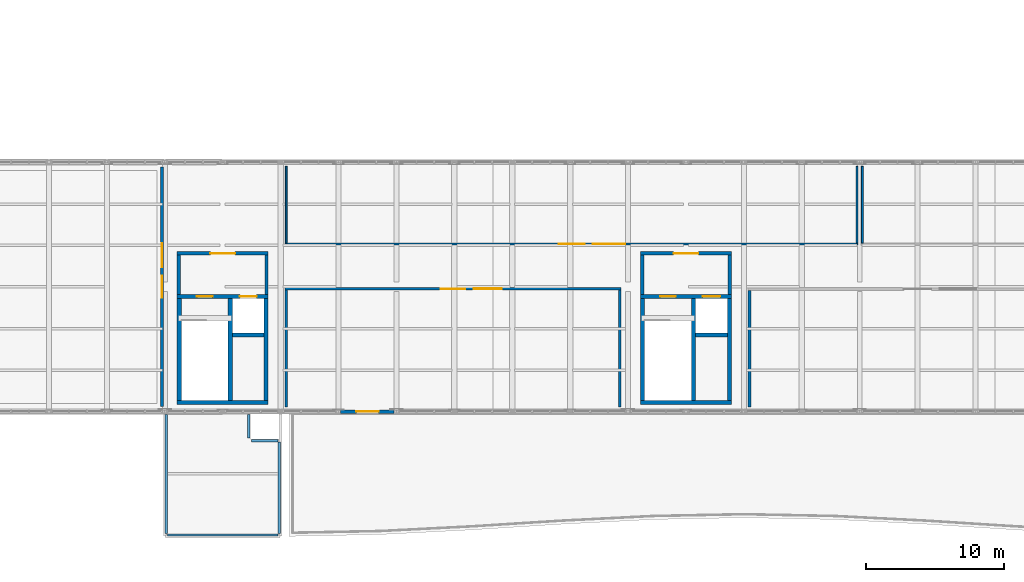
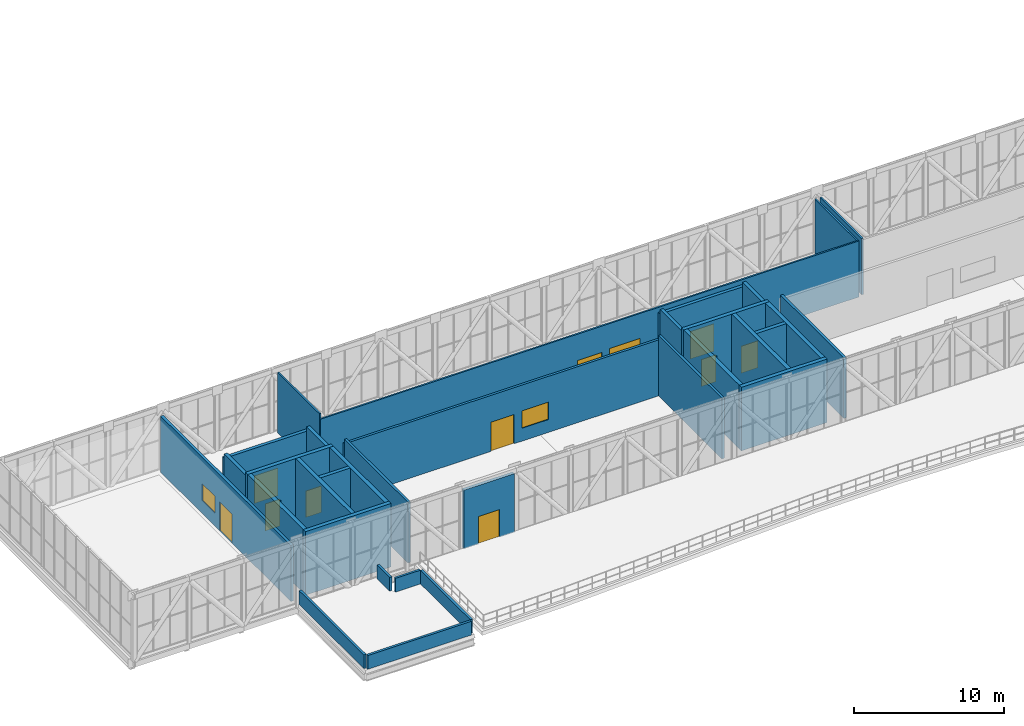
# One storey, part 55 of 58: 33 walls, 10 doors, 3 windows, 13 openings.
"""IFC4 building model written with IfcOpenShell, lengths in metres."""

from ifc_helpers import new_model, si_unit, direction, frame, frame_2d, origin, place, context, subcontext, project, spatial, rectangle, extrude, material, layer, layer_set, type_object, element, fill, save


model = new_model("IFC4")

# Units and contexts
model_context = context("Model", 3, precision=1e-05, world=origin(), true_north=direction((0.0, 1.0)))
body_context = subcontext(model_context, "Body", "Model", "MODEL_VIEW")
ifc_project = project(units=[si_unit("LENGTHUNIT", "METRE"), si_unit("AREAUNIT", "SQUARE_METRE"), si_unit("VOLUMEUNIT", "CUBIC_METRE"), si_unit("PLANEANGLEUNIT", "RADIAN"), si_unit("MASSUNIT", "GRAM", prefix="KILO")], contexts=[model_context])

# Site, building, storey
site_placement = place(None, origin())
site = spatial("IfcSite", under=ifc_project, at=site_placement, CompositionType="ELEMENT")
building_placement = place(site_placement, origin())
building = spatial("IfcBuilding", under=site, at=building_placement, Name="Khurvash Pelagic Aquarium", CompositionType="ELEMENT")
storey_placement = place(building_placement, frame((0.0, 0.0, 24.60009765625)))
storey = spatial("IfcBuildingStorey", under=building, at=storey_placement, Name="L05", CompositionType="ELEMENT", Elevation=24.60009765625)

# Wall, opening, door
ifc_material_1 = material(Name="Glass-fibre reinforced concrete C40/50", Category="concrete")
ifc_layer_1 = layer(ifc_material_1, 0.239990234375)
ifc_layer_set_1 = layer_set([ifc_layer_1], Name="Glass-fibre reinforced concrete C40/50")
wall_type_1 = type_object("IfcWallType", Name="EW-240", PredefinedType="STANDARD", material=ifc_layer_set_1)
wall_1_placement = place(storey_placement, frame((37.9599609375, 11.64990234375, 0.0), z_axis=(0.0, 0.0, 1.0), x_axis=(1.0, 0.0, 0.0)))
wall_1 = element("IfcWall", 1, at=wall_1_placement, inside=storey, type_object=wall_type_1, Name="L05 Sky-Bar South Terrace Portal Wall EW-240 6", PredefinedType="STANDARD", context=body_context, shape_type="SweptSolid", body=[
    extrude(rectangle(XDim=3.880126953125, YDim=0.239990234375, at=frame_2d((1.93994140625, 0.0))), origin(), (0.0, 0.0, 1.0), 4.77978515625),
])
opening_1_placement = place(wall_1_placement, frame((1.139892578125, 0.0, 0.0)))
opening_1 = element("IfcOpeningElement", 2, at=opening_1_placement, cuts=wall_1, Name="Opening ED-03", PredefinedType="OPENING", context=body_context, shape_type="SweptSolid", body=[
    extrude(rectangle(XDim=1.60009765625, YDim=2.25, at=frame_2d((0.800048828125, 1.125))), frame((0.0, 0.1298828125, 0.0), z_axis=(0.0, -1.0, 0.0), x_axis=(1.0, 0.0, 0.0)), (0.0, 0.0, 1.0), 0.260009765625),
])
ifc_material_2 = material(Name="Thermally broken glazed aluminium", Category="aluminium")
door_type_1 = type_object("IfcDoorType", Name="ED-03", OperationType="DOUBLE_DOOR_SINGLE_SWING", PredefinedType="DOOR", material=ifc_material_2)
door_1_placement = place(opening_1_placement, frame((1.60009765625, 0.0, 0.0), z_axis=(0.0, 0.0, 1.0), x_axis=(-1.0, 0.0, 0.0)))
door_1 = element("IfcDoor", 3, at=door_1_placement, inside=storey, type_object=door_type_1, Name="DR-0250", OperationType="DOUBLE_DOOR_SINGLE_SWING", OverallHeight=2.25, OverallWidth=1.60009765625, PredefinedType="DOOR", context=body_context, shape_type="SweptSolid", body=[
    extrude(rectangle(XDim=1.60009765625, YDim=2.25, at=frame_2d((0.800048828125, 1.125))), frame((0.0, 0.02490234375, 0.0), z_axis=(0.0, -1.0, 0.0), x_axis=(1.0, 0.0, 0.0)), (0.0, 0.0, 1.0), 0.050048828125),
])
fill(opening_1, door_1)

# Walls
ifc_material_3 = material(Name="Precast concrete C40/50", Category="concrete")
ifc_layer_2 = layer(ifc_material_3, 0.179931640625)
ifc_layer_set_2 = layer_set([ifc_layer_2], Name="Precast concrete C40/50")
wall_type_2 = type_object("IfcWallType", Name="PP-180", PredefinedType="PARAPET", material=ifc_layer_set_2)
wall_2_placement = place(storey_placement, frame((33.39990234375, 2.699951171875, 0.0), z_axis=(0.0, 0.0, 1.0), x_axis=(-1.0, 0.0, 0.0)))
element("IfcWall", 4, at=wall_2_placement, inside=storey, type_object=wall_type_2, Name="L05 Roof Perimeter Parapet Wall PP-180", PredefinedType="PARAPET", context=body_context, shape_type="SweptSolid", body=[
    extrude(rectangle(XDim=8.0, YDim=0.179931640625, at=frame_2d((4.0, 0.0))), origin(), (0.0, 0.0, 1.0), 1.119873046875),
])
wall_3_placement = place(storey_placement, frame((25.300048828125, 2.800048828125, 0.0), z_axis=(0.0, 0.0, 1.0), x_axis=(0.0, 1.0, 0.0)))
element("IfcWall", 5, at=wall_3_placement, inside=storey, type_object=wall_type_2, Name="L05 Roof Perimeter Parapet Wall PP-180", PredefinedType="PARAPET", context=body_context, shape_type="SweptSolid", body=[
    extrude(rectangle(XDim=8.64990234375, YDim=0.179931640625, at=frame_2d((4.324951171875, 0.0))), origin(), (0.0, 0.0, 1.0), 1.119873046875),
])
wall_4_placement = place(storey_placement, frame((31.300048828125, 11.449951171875, 0.0), z_axis=(0.0, 0.0, 1.0), x_axis=(0.0, -1.0, 0.0)))
element("IfcWall", 6, at=wall_4_placement, inside=storey, type_object=wall_type_2, Name="L05 Roof Perimeter Parapet Wall PP-180", PredefinedType="PARAPET", context=body_context, shape_type="SweptSolid", body=[
    extrude(rectangle(XDim=1.699951171875, YDim=0.179931640625, at=frame_2d((0.85009765625, 0.0))), origin(), (0.0, 0.0, 1.0), 1.119873046875),
])
wall_5_placement = place(storey_placement, frame((31.5, 9.550048828125, 0.0), z_axis=(0.0, 0.0, 1.0), x_axis=(1.0, 0.0, 0.0)))
element("IfcWall", 7, at=wall_5_placement, inside=storey, type_object=wall_type_2, Name="L05 Roof Perimeter Parapet Wall PP-180", PredefinedType="PARAPET", context=body_context, shape_type="SweptSolid", body=[
    extrude(rectangle(XDim=1.89990234375, YDim=0.179931640625, at=frame_2d((0.949951171875, 0.0))), origin(), (0.0, 0.0, 1.0), 1.119873046875),
])
wall_6_placement = place(storey_placement, frame((33.5, 9.449951171875, 0.0), z_axis=(0.0, 0.0, 1.0), x_axis=(0.0, -1.0, 0.0)))
element("IfcWall", 8, at=wall_6_placement, inside=storey, type_object=wall_type_2, Name="L05 Roof Perimeter Parapet Wall PP-180", PredefinedType="PARAPET", context=body_context, shape_type="SweptSolid", body=[
    extrude(rectangle(XDim=6.64990234375, YDim=0.179931640625, at=frame_2d((3.324951171875, 0.0))), origin(), (0.0, 0.0, 1.0), 1.119873046875),
])

# Wall, openings, door, window
ifc_material_4 = material(Name="Moisture-resistant gypsum and steel stud", Category="steel")
ifc_layer_3 = layer(ifc_material_4, 0.125)
ifc_layer_set_3 = layer_set([ifc_layer_3], Name="Moisture-resistant gypsum and steel stud")
wall_type_3 = type_object("IfcWallType", Name="PW-125", PredefinedType="PARTITIONING", material=ifc_layer_set_3)
wall_7_placement = place(storey_placement, frame((33.93798828125, 23.800048828125, 0.0), z_axis=(0.0, 0.0, 1.0), x_axis=(1.0, 0.0, 0.0)))
wall_7 = element("IfcWall", 9, at=wall_7_placement, inside=storey, type_object=wall_type_3, Name="L05 Daylit Mangrove Canopy Conservatory Partition Wall PW-125", PredefinedType="PARTITIONING", context=body_context, shape_type="SweptSolid", body=[
    extrude(rectangle(XDim=41.52490234375, YDim=0.125, at=frame_2d((20.762451171875, 0.0))), origin(), (0.0, 0.0, 1.0), 4.56787109375),
])
opening_2_placement = place(wall_7_placement, frame((19.822021484375, 0.0, 0.0)))
opening_2 = element("IfcOpeningElement", 10, at=opening_2_placement, cuts=wall_7, Name="Opening ID-35", PredefinedType="OPENING", context=body_context, shape_type="SweptSolid", body=[
    extrude(rectangle(XDim=1.8798828125, YDim=2.419921875, at=frame_2d((0.93994140625, 1.2099609375))), frame((0.0, 0.072509765625, 0.0), z_axis=(0.0, -1.0, 0.0), x_axis=(1.0, 0.0, 0.0)), (0.0, 0.0, 1.0), 0.14501953125),
])
opening_3_placement = place(wall_7_placement, frame((22.302001953125, 0.0, 1.0498046875)))
opening_3 = element("IfcOpeningElement", 11, at=opening_3_placement, cuts=wall_7, Name="Opening IW-16", PredefinedType="OPENING", context=body_context, shape_type="SweptSolid", body=[
    extrude(rectangle(XDim=2.35009765625, YDim=1.47998046875, at=frame_2d((1.175048828125, 0.739990234375))), frame((0.0, 0.072509765625, 0.0), z_axis=(0.0, -1.0, 0.0), x_axis=(1.0, 0.0, 0.0)), (0.0, 0.0, 1.0), 0.14501953125),
])
ifc_material_5 = material(Name="Abyssal hall double door", Category="wood")
door_type_2 = type_object("IfcDoorType", Name="ID-35", OperationType="DOUBLE_DOOR_SINGLE_SWING", PredefinedType="DOOR", material=ifc_material_5)
door_2_placement = place(opening_2_placement, origin())
door_2 = element("IfcDoor", 12, at=door_2_placement, inside=storey, type_object=door_type_2, Name="DR-0258", OperationType="DOUBLE_DOOR_SINGLE_SWING", OverallHeight=2.419921875, OverallWidth=1.8798828125, PredefinedType="DOOR", context=body_context, shape_type="SweptSolid", body=[
    extrude(rectangle(XDim=1.8798828125, YDim=2.419921875, at=frame_2d((0.93994140625, 1.2099609375))), frame((0.0, 0.02490234375, 0.0), z_axis=(0.0, -1.0, 0.0), x_axis=(1.0, 0.0, 0.0)), (0.0, 0.0, 1.0), 0.050048828125),
])
fill(opening_2, door_2)
ifc_material_6 = material(Name="Acoustic laminated interior observation glazing", Category="glass")
window_type_1 = type_object("IfcWindowType", Name="IW-16", PartitioningType="SINGLE_PANEL", PredefinedType="WINDOW", material=ifc_material_6)
window_1_placement = place(opening_3_placement, origin())
window_1 = element("IfcWindow", 13, at=window_1_placement, inside=storey, type_object=window_type_1, Name="L05 Daylit Mangrove Canopy Conservatory Observation Window IW-16", OverallHeight=1.47998046875, OverallWidth=2.35009765625, PartitioningType="SINGLE_PANEL", PredefinedType="WINDOW", context=body_context, shape_type="SweptSolid", body=[
    extrude(rectangle(XDim=2.35009765625, YDim=1.47998046875, at=frame_2d((1.175048828125, 0.739990234375))), frame((0.0, 0.030029296875, 0.0), z_axis=(0.0, -1.0, 0.0), x_axis=(1.0, 0.0, 0.0)), (0.0, 0.0, 1.0), 0.06005859375),
])
fill(opening_3, window_1)

# Walls
wall_8_placement = place(storey_placement, frame((75.39990234375, 23.863037109375, 0.0), z_axis=(0.0, 0.0, 1.0), x_axis=(0.0, 1.0, 0.0)))
element("IfcWall", 14, at=wall_8_placement, inside=storey, type_object=wall_type_3, Name="L05 Daylit Mangrove Canopy Conservatory Partition Wall PW-125", PredefinedType="PARTITIONING", context=body_context, shape_type="SweptSolid", body=[
    extrude(rectangle(XDim=5.574951171875, YDim=0.125, at=frame_2d((2.78759765625, 0.0))), origin(), (0.0, 0.0, 1.0), 4.56787109375),
])
wall_9_placement = place(storey_placement, frame((34.0, 23.863037109375, 0.0), z_axis=(0.0, 0.0, 1.0), x_axis=(0.0, 1.0, 0.0)))
element("IfcWall", 15, at=wall_9_placement, inside=storey, type_object=wall_type_3, Name="L05 Daylit Mangrove Canopy Conservatory Partition Wall PW-125", PredefinedType="PARTITIONING", context=body_context, shape_type="SweptSolid", body=[
    extrude(rectangle(XDim=5.574951171875, YDim=0.125, at=frame_2d((2.78759765625, 0.0))), origin(), (0.0, 0.0, 1.0), 4.93994140625),
])
ifc_layer_4 = layer(ifc_material_4, 0.139892578125)
ifc_layer_set_4 = layer_set([ifc_layer_4], Name="Moisture-resistant gypsum and steel stud")
wall_type_4 = type_object("IfcWallType", Name="PW-140", PredefinedType="PARTITIONING", material=ifc_layer_set_4)
wall_10_placement = place(storey_placement, frame((75.800048828125, 23.8701171875, 0.0), z_axis=(0.0, 0.0, 1.0), x_axis=(0.0, 1.0, 0.0)))
element("IfcWall", 16, at=wall_10_placement, inside=storey, type_object=wall_type_4, Name="L05 Sky-Bar Marine Conservation Briefing Room Partition Wall PW-140", PredefinedType="PARTITIONING", context=body_context, shape_type="SweptSolid", body=[
    extrude(rectangle(XDim=5.559814453125, YDim=0.139892578125, at=frame_2d((2.77978515625, 0.0))), origin(), (0.0, 0.0, 1.0), 4.56787109375),
])

# Wall, openings, door, window
ifc_material_7 = material(Name="AAC blockwork", Category="masonry")
ifc_layer_5 = layer(ifc_material_7, 0.18505859375)
ifc_layer_set_5 = layer_set([ifc_layer_5], Name="AAC blockwork")
wall_type_5 = type_object("IfcWallType", Name="PW-185", PredefinedType="PARTITIONING", material=ifc_layer_set_5)
wall_11_placement = place(storey_placement, frame((33.906982421875, 20.550048828125, 0.0), z_axis=(0.0, 0.0, 1.0), x_axis=(1.0, 0.0, 0.0)))
wall_11 = element("IfcWall", 17, at=wall_11_placement, inside=storey, type_object=wall_type_5, Name="L05 Indus Delta Estuarine Sky Gallery Partition Wall PW-185", PredefinedType="PARTITIONING", context=body_context, shape_type="SweptSolid", body=[
    extrude(rectangle(XDim=24.385986328125, YDim=0.18505859375, at=frame_2d((12.19287109375, 0.0))), origin(), (0.0, 0.0, 1.0), 4.56787109375),
])
opening_4_placement = place(wall_11_placement, frame((11.302978515625, 0.0, 0.0)))
opening_4 = element("IfcOpeningElement", 18, at=opening_4_placement, cuts=wall_11, Name="Opening ID-34", PredefinedType="OPENING", context=body_context, shape_type="SweptSolid", body=[
    extrude(rectangle(XDim=1.780029296875, YDim=2.3798828125, at=frame_2d((0.89013671875, 1.18994140625))), frame((0.0, 0.1025390625, 0.0), z_axis=(0.0, -1.0, 0.0), x_axis=(1.0, 0.0, 0.0)), (0.0, 0.0, 1.0), 0.205078125),
])
opening_5_placement = place(wall_11_placement, frame((13.68310546875, 0.0, 1.0498046875)))
opening_5 = element("IfcOpeningElement", 19, at=opening_5_placement, cuts=wall_11, Name="Opening IW-15", PredefinedType="OPENING", context=body_context, shape_type="SweptSolid", body=[
    extrude(rectangle(XDim=2.050048828125, YDim=1.419921875, at=frame_2d((1.02490234375, 0.7099609375))), frame((0.0, 0.1025390625, 0.0), z_axis=(0.0, -1.0, 0.0), x_axis=(1.0, 0.0, 0.0)), (0.0, 0.0, 1.0), 0.205078125),
])
ifc_material_8 = material(Name="Freshwater hall double door", Category="wood")
door_type_3 = type_object("IfcDoorType", Name="ID-34", OperationType="DOUBLE_DOOR_SINGLE_SWING", PredefinedType="DOOR", material=ifc_material_8)
door_3_placement = place(opening_4_placement, frame((1.780029296875, 0.0, 0.0), z_axis=(0.0, 0.0, 1.0), x_axis=(-1.0, 0.0, 0.0)))
door_3 = element("IfcDoor", 20, at=door_3_placement, inside=storey, type_object=door_type_3, Name="DR-0257", OperationType="DOUBLE_DOOR_SINGLE_SWING", OverallHeight=2.3798828125, OverallWidth=1.780029296875, PredefinedType="DOOR", context=body_context, shape_type="SweptSolid", body=[
    extrude(rectangle(XDim=1.780029296875, YDim=2.3798828125, at=frame_2d((0.89013671875, 1.18994140625))), frame((0.0, 0.02490234375, 0.0), z_axis=(0.0, -1.0, 0.0), x_axis=(1.0, 0.0, 0.0)), (0.0, 0.0, 1.0), 0.050048828125),
])
fill(opening_4, door_3)
window_type_2 = type_object("IfcWindowType", Name="IW-15", PartitioningType="SINGLE_PANEL", PredefinedType="WINDOW", material=ifc_material_6)
window_2_placement = place(opening_5_placement, origin())
window_2 = element("IfcWindow", 21, at=window_2_placement, inside=storey, type_object=window_type_2, Name="L05 Indus Delta Estuarine Sky Gallery Observation Window IW-15", OverallHeight=1.419921875, OverallWidth=2.050048828125, PartitioningType="SINGLE_PANEL", PredefinedType="WINDOW", context=body_context, shape_type="SweptSolid", body=[
    extrude(rectangle(XDim=2.050048828125, YDim=1.419921875, at=frame_2d((1.02490234375, 0.7099609375))), frame((0.0, 0.030029296875, 0.0), z_axis=(0.0, -1.0, 0.0), x_axis=(1.0, 0.0, 0.0)), (0.0, 0.0, 1.0), 0.06005859375),
])
fill(opening_5, window_2)

# Walls
for number, where, z_axis, x_axis, name in (
    (22, (58.199951171875, 11.991943359375, 0.0), (0.0, 0.0, 1.0), (0.0, 1.0, 0.0), "L05 Indus Delta Estuarine Sky Gallery Partition Wall PW-185"),
    (23, (34.0, 11.991943359375, 0.0), (0.0, 0.0, 1.0), (0.0, 1.0, 0.0), "L05 Indus Delta Estuarine Sky Gallery Partition Wall PW-185"),
):
    element("IfcWall", number, at=place(storey_placement, frame(where, z_axis=z_axis, x_axis=x_axis)), inside=storey, type_object=wall_type_5, Name=name, PredefinedType="PARTITIONING", context=body_context, shape_type="SweptSolid", body=[
        extrude(rectangle(XDim=8.465087890625, YDim=0.18505859375, at=frame_2d((4.232421875, 0.0))), origin(), (0.0, 0.0, 1.0), 4.93994140625),
    ])
ifc_layer_6 = layer(ifc_material_7, 0.199951171875)
ifc_layer_set_6 = layer_set([ifc_layer_6], Name="AAC blockwork")
wall_type_6 = type_object("IfcWallType", Name="PW-200", PredefinedType="PARTITIONING", material=ifc_layer_set_6)
wall_12_placement = place(storey_placement, frame((67.60009765625, 12.0, 0.0), z_axis=(0.0, 0.0, 1.0), x_axis=(0.0, 1.0, 0.0)))
element("IfcWall", 24, at=wall_12_placement, inside=storey, type_object=wall_type_6, Name="L05 Monsoon Coastal Bird and Crab Gallery Partition Wall PW-200", PredefinedType="PARTITIONING", context=body_context, shape_type="SweptSolid", body=[
    extrude(rectangle(XDim=8.449951171875, YDim=0.199951171875, at=frame_2d((4.22509765625, 0.0))), origin(), (0.0, 0.0, 1.0), 4.93994140625),
])

# Wall, openings, door, window
ifc_layer_7 = layer(ifc_material_7, 0.215087890625)
ifc_layer_set_7 = layer_set([ifc_layer_7], Name="AAC blockwork")
wall_type_7 = type_object("IfcWallType", Name="PW-215", PredefinedType="PARTITIONING", material=ifc_layer_set_7)
wall_13_placement = place(storey_placement, frame((25.0, 12.008056640625, 0.0), z_axis=(0.0, 0.0, 1.0), x_axis=(0.0, 1.0, 0.0)))
wall_13 = element("IfcWall", 25, at=wall_13_placement, inside=storey, type_object=wall_type_7, Name="L05 West Cantilever Sky Viewing Lounge Partition Wall PW-215", PredefinedType="PARTITIONING", context=body_context, shape_type="SweptSolid", body=[
    extrude(rectangle(XDim=17.384033203125, YDim=0.215087890625, at=frame_2d((8.69189453125, 0.0))), origin(), (0.0, 0.0, 1.0), 4.56787109375),
])
opening_6_placement = place(wall_13_placement, frame((7.882080078125, 0.0, 0.0)))
opening_6 = element("IfcOpeningElement", 26, at=opening_6_placement, cuts=wall_13, Name="Opening ID-33", PredefinedType="OPENING", context=body_context, shape_type="SweptSolid", body=[
    extrude(rectangle(XDim=1.6201171875, YDim=2.360107421875, at=frame_2d((0.81005859375, 1.18017578125))), frame((0.0, 0.11767578125, 0.0), z_axis=(0.0, -1.0, 0.0), x_axis=(1.0, 0.0, 0.0)), (0.0, 0.0, 1.0), 0.235107421875),
])
opening_7_placement = place(wall_13_placement, frame((10.10205078125, 0.0, 1.0498046875)))
opening_7 = element("IfcOpeningElement", 27, at=opening_7_placement, cuts=wall_13, Name="Opening IW-14", PredefinedType="OPENING", context=body_context, shape_type="SweptSolid", body=[
    extrude(rectangle(XDim=1.75, YDim=1.3798828125, at=frame_2d((0.875, 0.68994140625))), frame((0.0, 0.11767578125, 0.0), z_axis=(0.0, -1.0, 0.0), x_axis=(1.0, 0.0, 0.0)), (0.0, 0.0, 1.0), 0.235107421875),
])
ifc_material_9 = material(Name="Gallery link double door", Category="wood")
door_type_4 = type_object("IfcDoorType", Name="ID-33", OperationType="DOUBLE_DOOR_SINGLE_SWING", PredefinedType="DOOR", material=ifc_material_9)
door_4_placement = place(opening_6_placement, origin())
door_4 = element("IfcDoor", 28, at=door_4_placement, inside=storey, type_object=door_type_4, Name="DR-0256", OperationType="DOUBLE_DOOR_SINGLE_SWING", OverallHeight=2.360107421875, OverallWidth=1.6201171875, PredefinedType="DOOR", context=body_context, shape_type="SweptSolid", body=[
    extrude(rectangle(XDim=1.6201171875, YDim=2.360107421875, at=frame_2d((0.81005859375, 1.18017578125))), frame((0.0, 0.02490234375, 0.0), z_axis=(0.0, -1.0, 0.0), x_axis=(1.0, 0.0, 0.0)), (0.0, 0.0, 1.0), 0.050048828125),
])
fill(opening_6, door_4)
window_type_3 = type_object("IfcWindowType", Name="IW-14", PartitioningType="SINGLE_PANEL", PredefinedType="WINDOW", material=ifc_material_6)
window_3_placement = place(opening_7_placement, origin())
window_3 = element("IfcWindow", 29, at=window_3_placement, inside=storey, type_object=window_type_3, Name="L05 West Cantilever Sky Viewing Lounge Observation Window IW-14", OverallHeight=1.3798828125, OverallWidth=1.75, PartitioningType="SINGLE_PANEL", PredefinedType="WINDOW", context=body_context, shape_type="SweptSolid", body=[
    extrude(rectangle(XDim=1.75, YDim=1.3798828125, at=frame_2d((0.875, 0.68994140625))), frame((0.0, 0.030029296875, 0.0), z_axis=(0.0, -1.0, 0.0), x_axis=(1.0, 0.0, 0.0)), (0.0, 0.0, 1.0), 0.06005859375),
])
fill(opening_7, window_3)

# Wall, opening, door
ifc_layer_8 = layer(ifc_material_7, 0.25)
ifc_layer_set_8 = layer_set([ifc_layer_8], Name="AAC blockwork")
wall_type_8 = type_object("IfcWallType", Name="PW-250", PredefinedType="PARTITIONING", material=ifc_layer_set_8)
wall_14_placement = place(storey_placement, frame((26.10009765625, 23.125, 0.0), z_axis=(0.0, 0.0, 1.0), x_axis=(1.0, 0.0, 0.0)))
wall_14 = element("IfcWall", 30, at=wall_14_placement, inside=storey, type_object=wall_type_8, Name="L05 Core C1 Lobby Front Fire Wall PW-250", PredefinedType="PARTITIONING", context=body_context, shape_type="SweptSolid", body=[
    extrude(rectangle(XDim=6.599853515625, YDim=0.25, at=frame_2d((3.2998046875, 0.0))), origin(), (0.0, 0.0, 1.0), 4.56787109375),
])
opening_8_placement = place(wall_14_placement, frame((2.39990234375, 0.0, 0.0)))
opening_8 = element("IfcOpeningElement", 31, at=opening_8_placement, cuts=wall_14, Name="Opening FD-02", PredefinedType="OPENING", context=body_context, shape_type="SweptSolid", body=[
    extrude(rectangle(XDim=1.800048828125, YDim=2.25, at=frame_2d((0.89990234375, 1.125))), frame((0.0, 0.135009765625, 0.0), z_axis=(0.0, -1.0, 0.0), x_axis=(1.0, 0.0, 0.0)), (0.0, 0.0, 1.0), 0.27001953125),
])
ifc_material_10 = material(Name="Galvanised steel double fire door", Category="steel")
door_type_5 = type_object("IfcDoorType", Name="FD-02", OperationType="DOUBLE_DOOR_SINGLE_SWING", PredefinedType="DOOR", material=ifc_material_10)
door_5_placement = place(opening_8_placement, origin())
door_5 = element("IfcDoor", 32, at=door_5_placement, inside=storey, type_object=door_type_5, Name="DR-0262", OperationType="DOUBLE_DOOR_SINGLE_SWING", OverallHeight=2.25, OverallWidth=1.800048828125, PredefinedType="DOOR", context=body_context, shape_type="SweptSolid", body=[
    extrude(rectangle(XDim=1.800048828125, YDim=2.25, at=frame_2d((0.89990234375, 1.125))), frame((0.0, 0.02490234375, 0.0), z_axis=(0.0, -1.0, 0.0), x_axis=(1.0, 0.0, 0.0)), (0.0, 0.0, 1.0), 0.050048828125),
])
fill(opening_8, door_5)

# Walls
for number, where, z_axis, x_axis, name in (
    (33, (26.22509765625, 20.14990234375, 0.0), (0.0, 0.0, 1.0), (0.0, 1.0, 0.0), "L05 Core C1 Lobby West Fire Wall PW-250"),
    (34, (32.574951171875, 20.14990234375, 0.0), (0.0, 0.0, 1.0), (0.0, 1.0, 0.0), "L05 Core C1 Lobby East Fire Wall PW-250"),
):
    element("IfcWall", number, at=place(storey_placement, frame(where, z_axis=z_axis, x_axis=x_axis)), inside=storey, type_object=wall_type_8, Name=name, PredefinedType="PARTITIONING", context=body_context, shape_type="SweptSolid", body=[
        extrude(rectangle(XDim=2.85009765625, YDim=0.25, at=frame_2d((1.425048828125, 0.0))), origin(), (0.0, 0.0, 1.0), 4.93994140625),
    ])

# Wall, opening, door
wall_15_placement = place(storey_placement, frame((59.699951171875, 23.125, 0.0), z_axis=(0.0, 0.0, 1.0), x_axis=(1.0, 0.0, 0.0)))
wall_15 = element("IfcWall", 35, at=wall_15_placement, inside=storey, type_object=wall_type_8, Name="L05 Core C2 Lobby Front Fire Wall PW-250", PredefinedType="PARTITIONING", context=body_context, shape_type="SweptSolid", body=[
    extrude(rectangle(XDim=6.60009765625, YDim=0.25, at=frame_2d((3.300048828125, 0.0))), origin(), (0.0, 0.0, 1.0), 4.56787109375),
])
opening_9_placement = place(wall_15_placement, frame((2.39990234375, 0.0, 0.0)))
opening_9 = element("IfcOpeningElement", 36, at=opening_9_placement, cuts=wall_15, Name="Opening FD-02", PredefinedType="OPENING", context=body_context, shape_type="SweptSolid", body=[
    extrude(rectangle(XDim=1.800048828125, YDim=2.25, at=frame_2d((0.89990234375, 1.125))), frame((0.0, 0.135009765625, 0.0), z_axis=(0.0, -1.0, 0.0), x_axis=(1.0, 0.0, 0.0)), (0.0, 0.0, 1.0), 0.27001953125),
])
door_6_placement = place(opening_9_placement, origin())
door_6 = element("IfcDoor", 37, at=door_6_placement, inside=storey, type_object=door_type_5, Name="DR-0263", OperationType="DOUBLE_DOOR_SINGLE_SWING", OverallHeight=2.25, OverallWidth=1.800048828125, PredefinedType="DOOR", context=body_context, shape_type="SweptSolid", body=[
    extrude(rectangle(XDim=1.800048828125, YDim=2.25, at=frame_2d((0.89990234375, 1.125))), frame((0.0, 0.02490234375, 0.0), z_axis=(0.0, -1.0, 0.0), x_axis=(1.0, 0.0, 0.0)), (0.0, 0.0, 1.0), 0.050048828125),
])
fill(opening_9, door_6)

# Walls
for number, where, z_axis, x_axis, name in (
    (38, (59.824951171875, 20.14990234375, 0.0), (0.0, 0.0, 1.0), (0.0, 1.0, 0.0), "L05 Core C2 Lobby West Fire Wall PW-250"),
    (39, (66.175048828125, 20.14990234375, 0.0), (0.0, 0.0, 1.0), (0.0, 1.0, 0.0), "L05 Core C2 Lobby East Fire Wall PW-250"),
):
    element("IfcWall", number, at=place(storey_placement, frame(where, z_axis=z_axis, x_axis=x_axis)), inside=storey, type_object=wall_type_8, Name=name, PredefinedType="PARTITIONING", context=body_context, shape_type="SweptSolid", body=[
        extrude(rectangle(XDim=2.85009765625, YDim=0.25, at=frame_2d((1.425048828125, 0.0))), origin(), (0.0, 0.0, 1.0), 4.93994140625),
    ])
ifc_material_11 = material(Name="Concrete C40/50", Category="concrete")
ifc_layer_9 = layer(ifc_material_11, 0.27490234375)
ifc_layer_set_9 = layer_set([ifc_layer_9], Name="Concrete C40/50")
wall_type_9 = type_object("IfcWallType", Name="SW-275", PredefinedType="SHEAR", material=ifc_layer_set_9)
wall_16_placement = place(storey_placement, frame((30.10009765625, 17.212890625, 0.0), z_axis=(0.0, 0.0, 1.0), x_axis=(1.0, 0.0, 0.0)))
element("IfcWall", 40, at=wall_16_placement, inside=storey, type_object=wall_type_9, Name="L05 Lift FL-01 Shaft Rear Shear Wall SW-275", PredefinedType="SHEAR", context=body_context, shape_type="SweptSolid", body=[
    extrude(rectangle(XDim=2.2998046875, YDim=0.27490234375, at=frame_2d((1.14990234375, 0.0))), origin(), (0.0, 0.0, 1.0), 5.179931640625),
])
wall_17_placement = place(storey_placement, frame((63.699951171875, 17.212890625, 0.0), z_axis=(0.0, 0.0, 1.0), x_axis=(1.0, 0.0, 0.0)))
element("IfcWall", 41, at=wall_17_placement, inside=storey, type_object=wall_type_9, Name="L05 Lift PL-01 Shaft Rear Shear Wall SW-275", PredefinedType="SHEAR", context=body_context, shape_type="SweptSolid", body=[
    extrude(rectangle(XDim=2.300048828125, YDim=0.27490234375, at=frame_2d((1.14990234375, 0.0))), origin(), (0.0, 0.0, 1.0), 5.179931640625),
])
ifc_layer_10 = layer(ifc_material_11, 0.300048828125)
ifc_layer_set_10 = layer_set([ifc_layer_10], Name="Concrete C40/50")
wall_type_10 = type_object("IfcWallType", Name="SW-300", PredefinedType="SHEAR", material=ifc_layer_set_10)
wall_18_placement = place(storey_placement, frame((26.10009765625, 12.300048828125, 0.0), z_axis=(0.0, 0.0, 1.0), x_axis=(1.0, 0.0, 0.0)))
element("IfcWall", 42, at=wall_18_placement, inside=storey, type_object=wall_type_10, Name="L05 Core C1 South Shear Wall SW-300", PredefinedType="SHEAR", context=body_context, shape_type="SweptSolid", body=[
    extrude(rectangle(XDim=6.599853515625, YDim=0.300048828125, at=frame_2d((3.2998046875, 0.0))), origin(), (0.0, 0.0, 1.0), 5.179931640625),
])

# Wall, openings, doors
wall_19_placement = place(storey_placement, frame((26.10009765625, 20.0, 0.0), z_axis=(0.0, 0.0, 1.0), x_axis=(1.0, 0.0, 0.0)))
wall_19 = element("IfcWall", 43, at=wall_19_placement, inside=storey, type_object=wall_type_10, Name="L05 Core C1 North Shear Wall SW-300", PredefinedType="SHEAR", context=body_context, shape_type="SweptSolid", body=[
    extrude(rectangle(XDim=6.599853515625, YDim=0.300048828125, at=frame_2d((3.2998046875, 0.0))), origin(), (0.0, 0.0, 1.0), 5.179931640625),
])
opening_10_placement = place(wall_19_placement, frame((1.425048828125, 0.0, 0.0)))
opening_10 = element("IfcOpeningElement", 44, at=opening_10_placement, cuts=wall_19, Name="Opening FD-01", PredefinedType="OPENING", context=body_context, shape_type="SweptSolid", body=[
    extrude(rectangle(XDim=1.14990234375, YDim=2.199951171875, at=frame_2d((0.574951171875, 1.10009765625))), frame((0.0, 0.16015625, 0.0), z_axis=(0.0, -1.0, 0.0), x_axis=(1.0, 0.0, 0.0)), (0.0, 0.0, 1.0), 0.320068359375),
])
opening_11_placement = place(wall_19_placement, frame((4.550048828125, 0.0, 0.0)))
opening_11 = element("IfcOpeningElement", 45, at=opening_11_placement, cuts=wall_19, Name="Opening LD-01", PredefinedType="OPENING", context=body_context, shape_type="SweptSolid", body=[
    extrude(rectangle(XDim=1.199951171875, YDim=2.14990234375, at=frame_2d((0.60009765625, 1.074951171875))), frame((0.0, 0.16015625, 0.0), z_axis=(0.0, -1.0, 0.0), x_axis=(1.0, 0.0, 0.0)), (0.0, 0.0, 1.0), 0.320068359375),
])
ifc_material_12 = material(Name="Galvanised steel fire door", Category="steel")
door_type_6 = type_object("IfcDoorType", Name="FD-01", OperationType="NOTDEFINED", PredefinedType="DOOR", material=ifc_material_12)
door_7_placement = place(opening_10_placement, frame((1.14990234375, 0.0, 0.0), z_axis=(0.0, 0.0, 1.0), x_axis=(-1.0, 0.0, 0.0)))
door_7 = element("IfcDoor", 46, at=door_7_placement, inside=storey, type_object=door_type_6, Name="DR-0244", OperationType="SINGLE_SWING_RIGHT", OverallHeight=2.199951171875, OverallWidth=1.14990234375, PredefinedType="DOOR", context=body_context, shape_type="SweptSolid", body=[
    extrude(rectangle(XDim=1.14990234375, YDim=2.199951171875, at=frame_2d((0.574951171875, 1.10009765625))), frame((0.0, 0.02490234375, 0.0), z_axis=(0.0, -1.0, 0.0), x_axis=(1.0, 0.0, 0.0)), (0.0, 0.0, 1.0), 0.050048828125),
])
fill(opening_10, door_7)
ifc_material_13 = material(Name="Brushed stainless steel 316 lift landing door", Category="steel")
door_type_7 = type_object("IfcDoorType", Name="LD-01", OperationType="DOUBLE_DOOR_SLIDING", PredefinedType="DOOR", material=ifc_material_13)
door_8_placement = place(opening_11_placement, origin())
door_8 = element("IfcDoor", 47, at=door_8_placement, inside=storey, type_object=door_type_7, Name="DR-0247", OperationType="DOUBLE_DOOR_SLIDING", OverallHeight=2.14990234375, OverallWidth=1.199951171875, PredefinedType="DOOR", context=body_context, shape_type="SweptSolid", body=[
    extrude(rectangle(XDim=1.199951171875, YDim=2.14990234375, at=frame_2d((0.60009765625, 1.074951171875))), frame((0.0, 0.02490234375, 0.0), z_axis=(0.0, -1.0, 0.0), x_axis=(1.0, 0.0, 0.0)), (0.0, 0.0, 1.0), 0.050048828125),
])
fill(opening_11, door_8)

# Walls
for number, where, z_axis, x_axis, name in (
    (48, (26.25, 12.449951171875, 0.0), (0.0, 0.0, 1.0), (0.0, 1.0, 0.0), "L05 Core C1 West Shear Wall SW-300"),
    (49, (32.550048828125, 12.449951171875, 0.0), (0.0, 0.0, 1.0), (0.0, 1.0, 0.0), "L05 Core C1 East Shear Wall SW-300"),
    (50, (29.949951171875, 12.449951171875, 0.0), (0.0, 0.0, 1.0), (0.0, 1.0, 0.0), "L05 Core C1 Divider Shear Wall SW-300"),
):
    element("IfcWall", number, at=place(storey_placement, frame(where, z_axis=z_axis, x_axis=x_axis)), inside=storey, type_object=wall_type_10, Name=name, PredefinedType="SHEAR", context=body_context, shape_type="SweptSolid", body=[
        extrude(rectangle(XDim=7.400146484375, YDim=0.300048828125, at=frame_2d((3.7001953125, 0.0))), origin(), (0.0, 0.0, 1.0), 5.179931640625),
    ])
wall_20_placement = place(storey_placement, frame((59.699951171875, 12.300048828125, 0.0), z_axis=(0.0, 0.0, 1.0), x_axis=(1.0, 0.0, 0.0)))
element("IfcWall", 51, at=wall_20_placement, inside=storey, type_object=wall_type_10, Name="L05 Core C2 South Shear Wall SW-300", PredefinedType="SHEAR", context=body_context, shape_type="SweptSolid", body=[
    extrude(rectangle(XDim=6.60009765625, YDim=0.300048828125, at=frame_2d((3.300048828125, 0.0))), origin(), (0.0, 0.0, 1.0), 5.179931640625),
])

# Wall, openings, doors
wall_21_placement = place(storey_placement, frame((59.699951171875, 20.0, 0.0), z_axis=(0.0, 0.0, 1.0), x_axis=(1.0, 0.0, 0.0)))
wall_21 = element("IfcWall", 52, at=wall_21_placement, inside=storey, type_object=wall_type_10, Name="L05 Core C2 North Shear Wall SW-300", PredefinedType="SHEAR", context=body_context, shape_type="SweptSolid", body=[
    extrude(rectangle(XDim=6.60009765625, YDim=0.300048828125, at=frame_2d((3.300048828125, 0.0))), origin(), (0.0, 0.0, 1.0), 5.179931640625),
])
opening_12_placement = place(wall_21_placement, frame((1.425048828125, 0.0, 0.0)))
opening_12 = element("IfcOpeningElement", 53, at=opening_12_placement, cuts=wall_21, Name="Opening FD-01", PredefinedType="OPENING", context=body_context, shape_type="SweptSolid", body=[
    extrude(rectangle(XDim=1.14990234375, YDim=2.199951171875, at=frame_2d((0.574951171875, 1.10009765625))), frame((0.0, 0.16015625, 0.0), z_axis=(0.0, -1.0, 0.0), x_axis=(1.0, 0.0, 0.0)), (0.0, 0.0, 1.0), 0.320068359375),
])
opening_13_placement = place(wall_21_placement, frame((4.5, 0.0, 0.0)))
opening_13 = element("IfcOpeningElement", 54, at=opening_13_placement, cuts=wall_21, Name="Opening LD-02", PredefinedType="OPENING", context=body_context, shape_type="SweptSolid", body=[
    extrude(rectangle(XDim=1.300048828125, YDim=2.199951171875, at=frame_2d((0.64990234375, 1.10009765625))), frame((0.0, 0.16015625, 0.0), z_axis=(0.0, -1.0, 0.0), x_axis=(1.0, 0.0, 0.0)), (0.0, 0.0, 1.0), 0.320068359375),
])
door_9_placement = place(opening_12_placement, frame((1.14990234375, 0.0, 0.0), z_axis=(0.0, 0.0, 1.0), x_axis=(-1.0, 0.0, 0.0)))
door_9 = element("IfcDoor", 55, at=door_9_placement, inside=storey, type_object=door_type_6, Name="DR-0245", OperationType="SINGLE_SWING_RIGHT", OverallHeight=2.199951171875, OverallWidth=1.14990234375, PredefinedType="DOOR", context=body_context, shape_type="SweptSolid", body=[
    extrude(rectangle(XDim=1.14990234375, YDim=2.199951171875, at=frame_2d((0.574951171875, 1.10009765625))), frame((0.0, 0.02490234375, 0.0), z_axis=(0.0, -1.0, 0.0), x_axis=(1.0, 0.0, 0.0)), (0.0, 0.0, 1.0), 0.050048828125),
])
fill(opening_12, door_9)
door_type_8 = type_object("IfcDoorType", Name="LD-02", OperationType="DOUBLE_DOOR_SLIDING", PredefinedType="DOOR", material=ifc_material_13)
door_10_placement = place(opening_13_placement, origin())
door_10 = element("IfcDoor", 56, at=door_10_placement, inside=storey, type_object=door_type_8, Name="DR-0248", OperationType="DOUBLE_DOOR_SLIDING", OverallHeight=2.199951171875, OverallWidth=1.300048828125, PredefinedType="DOOR", context=body_context, shape_type="SweptSolid", body=[
    extrude(rectangle(XDim=1.300048828125, YDim=2.199951171875, at=frame_2d((0.64990234375, 1.10009765625))), frame((0.0, 0.02490234375, 0.0), z_axis=(0.0, -1.0, 0.0), x_axis=(1.0, 0.0, 0.0)), (0.0, 0.0, 1.0), 0.050048828125),
])
fill(opening_13, door_10)

# Walls
for number, where, z_axis, x_axis, name in (
    (57, (59.85009765625, 12.449951171875, 0.0), (0.0, 0.0, 1.0), (0.0, 1.0, 0.0), "L05 Core C2 West Shear Wall SW-300"),
    (58, (66.14990234375, 12.449951171875, 0.0), (0.0, 0.0, 1.0), (0.0, 1.0, 0.0), "L05 Core C2 East Shear Wall SW-300"),
    (59, (63.550048828125, 12.449951171875, 0.0), (0.0, 0.0, 1.0), (0.0, 1.0, 0.0), "L05 Core C2 Divider Shear Wall SW-300"),
):
    element("IfcWall", number, at=place(storey_placement, frame(where, z_axis=z_axis, x_axis=x_axis)), inside=storey, type_object=wall_type_10, Name=name, PredefinedType="SHEAR", context=body_context, shape_type="SweptSolid", body=[
        extrude(rectangle(XDim=7.400146484375, YDim=0.300048828125, at=frame_2d((3.7001953125, 0.0))), origin(), (0.0, 0.0, 1.0), 5.179931640625),
    ])

save(model, "model.ifc")
